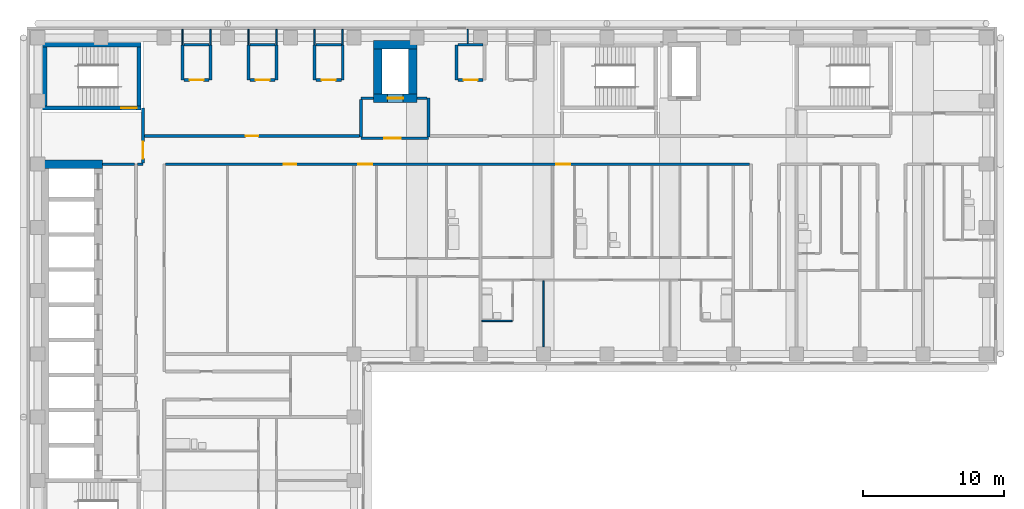
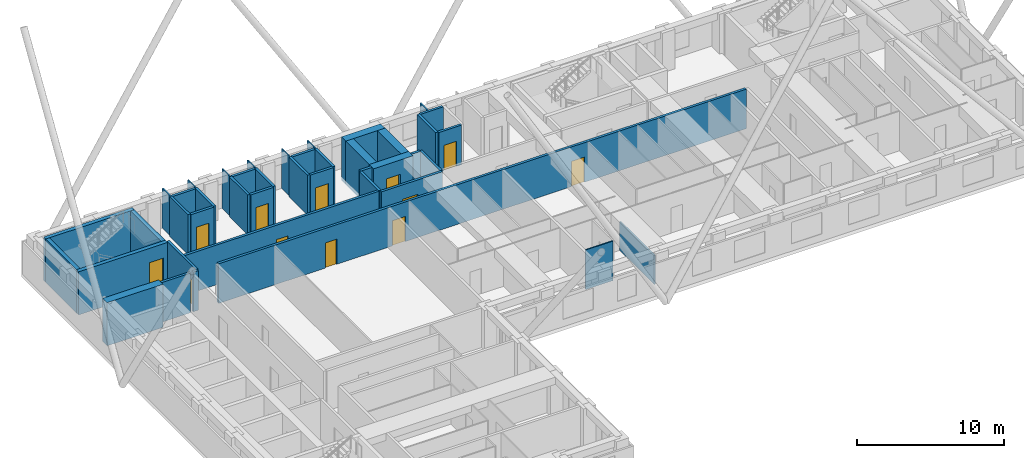
# One storey, part 6 of 13: 43 walls, 12 doors, 12 openings.
"""IFC4 building model written with IfcOpenShell, lengths in metres."""

from ifc_helpers import new_model, si_unit, direction, frame, frame_2d, origin, place, context, subcontext, project, spatial, rectangle, extrude, material, layer, layer_set, type_object, element, fill, save


model = new_model("IFC4")

# Units and contexts
model_context = context("Model", 3, precision=1e-05, world=origin(), true_north=direction((0.0, 1.0)))
body_context = subcontext(model_context, "Body", "Model", "MODEL_VIEW")
ifc_project = project(units=[si_unit("LENGTHUNIT", "METRE"), si_unit("AREAUNIT", "SQUARE_METRE"), si_unit("VOLUMEUNIT", "CUBIC_METRE"), si_unit("PLANEANGLEUNIT", "RADIAN"), si_unit("MASSUNIT", "GRAM", prefix="KILO")], contexts=[model_context])

# Site, building, storey
site_placement = place(None, origin())
site = spatial("IfcSite", under=ifc_project, at=site_placement, CompositionType="ELEMENT")
building_placement = place(site_placement, origin())
building = spatial("IfcBuilding", under=site, at=building_placement, Name="Firuza Court", CompositionType="ELEMENT")
storey_placement = place(building_placement, frame((0.0, 0.0, 119.60009765625)))
storey = spatial("IfcBuildingStorey", under=building, at=storey_placement, Name="L29", CompositionType="ELEMENT", Elevation=119.60009765625)

# Wall
ifc_material_1 = material(Name="Moisture-resistant gypsum board partition")
ifc_layer_1 = layer(ifc_material_1, 0.10009765625)
ifc_layer_set_1 = layer_set([ifc_layer_1], Name="Moisture-resistant gypsum board partition")
wall_type_1 = type_object("IfcWallType", Name="Bathroom partition 100", PredefinedType="PLUMBINGWALL", material=ifc_layer_set_1)
wall_1_placement = place(storey_placement, frame((31.60009765625, 38.35009765625, 0.0), z_axis=(0.0, 0.0, 1.0), x_axis=(1.0, 0.0, 0.0)))
element("IfcWall", 1, at=wall_1_placement, inside=storey, type_object=wall_type_1, Name="Bathroom partition 100 L29", PredefinedType="PLUMBINGWALL", context=body_context, shape_type="SweptSolid", body=[
    extrude(rectangle(XDim=2.14990234375, YDim=0.10009765625, at=frame_2d((1.074951171875, 0.0))), origin(), (0.0, 0.0, 1.0), 3.2998046875),
])

# Wall, opening, door
ifc_material_2 = material(Name="Concrete C60/75", Category="concrete")
ifc_layer_2 = layer(ifc_material_2, 0.300048828125)
ifc_layer_set_2 = layer_set([ifc_layer_2], Name="Concrete C60/75")
wall_type_2 = type_object("IfcWallType", Name="Core wall 300 C60/75", PredefinedType="SHEAR", material=ifc_layer_set_2)
wall_2_placement = place(storey_placement, frame((0.35009765625, 53.5, -0.300048828125), z_axis=(0.0, 0.0, 1.0), x_axis=(1.0, 0.0, 0.0)))
wall_2 = element("IfcWall", 2, at=wall_2_placement, inside=storey, type_object=wall_type_2, Name="Core wall stair L29", PredefinedType="SHEAR", context=body_context, shape_type="SweptSolid", body=[
    extrude(rectangle(XDim=7.0, YDim=0.300048828125, at=frame_2d((3.5, 0.0))), origin(), (0.0, 0.0, 1.0), 3.599853515625),
])
opening_1_placement = place(wall_2_placement, frame((5.580078125, 0.0, 0.300048828125)))
opening_1 = element("IfcOpeningElement", 3, at=opening_1_placement, cuts=wall_2, Name="Opening D29015", PredefinedType="OPENING", context=body_context, shape_type="SweptSolid", body=[
    extrude(rectangle(XDim=1.10009765625, YDim=2.10009765625, at=frame_2d((0.550048828125, 1.050048828125))), frame((0.0, 0.162109375, 0.0), z_axis=(0.0, -1.0, 0.0), x_axis=(1.0, 0.0, 0.0)), (0.0, 0.0, 1.0), 0.323974609375),
])
ifc_material_3 = material(Name="Timber door leaf in hardwood frame", Category="wood")
door_type_1 = type_object("IfcDoorType", Name="Stair door 1100", OperationType="SINGLE_SWING_LEFT", PredefinedType="DOOR", material=ifc_material_3)
door_1_placement = place(opening_1_placement, origin())
door_1 = element("IfcDoor", 4, at=door_1_placement, inside=storey, type_object=door_type_1, Name="Stair door S3", OperationType="SINGLE_SWING_RIGHT", OverallHeight=2.10009765625, OverallWidth=1.10009765625, PredefinedType="DOOR", context=body_context, shape_type="SweptSolid", body=[
    extrude(rectangle(XDim=1.10009765625, YDim=2.10009765625, at=frame_2d((0.550048828125, 1.050048828125))), frame((0.0, 0.02490234375, 0.0), z_axis=(0.0, -1.0, 0.0), x_axis=(1.0, 0.0, 0.0)), (0.0, 0.0, 1.0), 0.050048828125),
])
fill(opening_1, door_1)

# Walls
wall_3_placement = place(storey_placement, frame((0.35009765625, 58.0, -0.300048828125), z_axis=(0.0, 0.0, 1.0), x_axis=(1.0, 0.0, 0.0)))
element("IfcWall", 5, at=wall_3_placement, inside=storey, type_object=wall_type_2, Name="Core wall stair L29", PredefinedType="SHEAR", context=body_context, shape_type="SweptSolid", body=[
    extrude(rectangle(XDim=7.0, YDim=0.300048828125, at=frame_2d((3.5, 0.0))), origin(), (0.0, 0.0, 1.0), 3.599853515625),
])
for number, where, z_axis, x_axis, name in (
    (6, (0.5, 53.64990234375, -0.300048828125), (0.0, 0.0, 1.0), (0.0, 1.0, 0.0), "Core wall stair L29"),
    (7, (7.199951171875, 53.64990234375, -0.300048828125), (0.0, 0.0, 1.0), (0.0, 1.0, 0.0), "Core wall stair L29"),
):
    element("IfcWall", number, at=place(storey_placement, frame(where, z_axis=z_axis, x_axis=x_axis)), inside=storey, type_object=wall_type_2, Name=name, PredefinedType="SHEAR", context=body_context, shape_type="SweptSolid", body=[
        extrude(rectangle(XDim=4.2001953125, YDim=0.300048828125, at=frame_2d((2.10009765625, 0.0))), origin(), (0.0, 0.0, 1.0), 3.599853515625),
    ])
ifc_layer_3 = layer(ifc_material_2, 0.60009765625)
ifc_layer_set_3 = layer_set([ifc_layer_3], Name="Concrete C60/75")
wall_type_3 = type_object("IfcWallType", Name="Core wall 600 C60/75", PredefinedType="SHEAR", material=ifc_layer_set_3)
wall_4_placement = place(storey_placement, frame((0.199951171875, 49.5, -0.300048828125), z_axis=(0.0, 0.0, 1.0), x_axis=(1.0, 0.0, 0.0)))
element("IfcWall", 8, at=wall_4_placement, inside=storey, type_object=wall_type_3, Name="Core wall lift shaft L29", PredefinedType="SHEAR", context=body_context, shape_type="SweptSolid", body=[
    extrude(rectangle(XDim=4.400146484375, YDim=0.60009765625, at=frame_2d((2.2001953125, 0.0))), origin(), (0.0, 0.0, 1.0), 3.599853515625),
])

# Wall, opening, door
wall_5_placement = place(storey_placement, frame((23.89990234375, 54.199951171875, -0.300048828125), z_axis=(0.0, 0.0, 1.0), x_axis=(1.0, 0.0, 0.0)))
wall_5 = element("IfcWall", 9, at=wall_5_placement, inside=storey, type_object=wall_type_3, Name="Core wall lift shaft L29", PredefinedType="SHEAR", context=body_context, shape_type="SweptSolid", body=[
    extrude(rectangle(XDim=3.10009765625, YDim=0.60009765625, at=frame_2d((1.550048828125, 0.0))), origin(), (0.0, 0.0, 1.0), 3.599853515625),
])
opening_2_placement = place(wall_5_placement, frame((1.0, 0.0, 0.300048828125)))
opening_2 = element("IfcOpeningElement", 10, at=opening_2_placement, cuts=wall_5, Name="Opening LD-FL3-29", PredefinedType="OPENING", context=body_context, shape_type="SweptSolid", body=[
    extrude(rectangle(XDim=1.10009765625, YDim=2.10009765625, at=frame_2d((0.550048828125, 1.050048828125))), frame((0.0, 0.31201171875, 0.0), z_axis=(0.0, -1.0, 0.0), x_axis=(1.0, 0.0, 0.0)), (0.0, 0.0, 1.0), 0.6240234375),
])
ifc_material_4 = material(Name="Stainless steel 1.4301 door leaf", Category="steel")
door_type_2 = type_object("IfcDoorType", Name="Lift landing door 1100", OperationType="SLIDING_TO_LEFT", PredefinedType="DOOR", material=ifc_material_4)
door_2_placement = place(opening_2_placement, origin())
door_2 = element("IfcDoor", 11, at=door_2_placement, inside=storey, type_object=door_type_2, Name="Landing door FL3", OperationType="SLIDING_TO_LEFT", OverallHeight=2.10009765625, OverallWidth=1.10009765625, PredefinedType="DOOR", context=body_context, shape_type="SweptSolid", body=[
    extrude(rectangle(XDim=1.10009765625, YDim=2.10009765625, at=frame_2d((0.550048828125, 1.050048828125))), frame((0.0, 0.02490234375, 0.0), z_axis=(0.0, -1.0, 0.0), x_axis=(1.0, 0.0, 0.0)), (0.0, 0.0, 1.0), 0.050048828125),
])
fill(opening_2, door_2)

# Walls
wall_6_placement = place(storey_placement, frame((23.89990234375, 58.0, -0.300048828125), z_axis=(0.0, 0.0, 1.0), x_axis=(1.0, 0.0, 0.0)))
element("IfcWall", 12, at=wall_6_placement, inside=storey, type_object=wall_type_3, Name="Core wall lift shaft L29", PredefinedType="SHEAR", context=body_context, shape_type="SweptSolid", body=[
    extrude(rectangle(XDim=3.10009765625, YDim=0.60009765625, at=frame_2d((1.550048828125, 0.0))), origin(), (0.0, 0.0, 1.0), 3.599853515625),
])
for number, where, z_axis, x_axis, name in (
    (13, (24.199951171875, 54.5, -0.300048828125), (0.0, 0.0, 1.0), (0.0, 1.0, 0.0), "Core wall lift shaft L29"),
    (14, (26.699951171875, 54.5, -0.300048828125), (0.0, 0.0, 1.0), (0.0, 1.0, 0.0), "Core wall lift shaft L29"),
):
    element("IfcWall", number, at=place(storey_placement, frame(where, z_axis=z_axis, x_axis=x_axis)), inside=storey, type_object=wall_type_3, Name=name, PredefinedType="SHEAR", context=body_context, shape_type="SweptSolid", body=[
        extrude(rectangle(XDim=3.199951171875, YDim=0.60009765625, at=frame_2d((1.60009765625, 0.0))), origin(), (0.0, 0.0, 1.0), 3.599853515625),
    ])

# Wall, openings, doors
ifc_material_5 = material(Name="Blockwork, plastered both sides", Category="masonry")
ifc_layer_4 = layer(ifc_material_5, 0.199951171875)
ifc_layer_set_4 = layer_set([ifc_layer_4], Name="Blockwork, plastered both sides")
wall_type_4 = type_object("IfcWallType", Name="Corridor wall 200", PredefinedType="PARTITIONING", material=ifc_layer_set_4)
wall_7_placement = place(storey_placement, frame((9.10009765625, 49.5, 0.0), z_axis=(0.0, 0.0, 1.0), x_axis=(1.0, 0.0, 0.0)))
wall_7 = element("IfcWall", 15, at=wall_7_placement, inside=storey, type_object=wall_type_4, Name="Corridor wall 200 L29", PredefinedType="PARTITIONING", context=body_context, shape_type="SweptSolid", body=[
    extrude(rectangle(XDim=41.5498046875, YDim=0.199951171875, at=frame_2d((20.77490234375, 0.0))), origin(), (0.0, 0.0, 1.0), 3.2998046875),
])
opening_3_placement = place(wall_7_placement, frame((13.699951171875, 0.0, 0.0)))
opening_3 = element("IfcOpeningElement", 16, at=opening_3_placement, cuts=wall_7, Name="Opening D29066", PredefinedType="OPENING", context=body_context, shape_type="SweptSolid", body=[
    extrude(rectangle(XDim=1.0, YDim=2.10009765625, at=frame_2d((0.5, 1.050048828125))), frame((0.0, 0.11181640625, 0.0), z_axis=(0.0, -1.0, 0.0), x_axis=(1.0, 0.0, 0.0)), (0.0, 0.0, 1.0), 0.223876953125),
])
opening_4_placement = place(wall_7_placement, frame((27.800048828125, 0.0, 0.0)))
opening_4 = element("IfcOpeningElement", 17, at=opening_4_placement, cuts=wall_7, Name="Opening D29067", PredefinedType="OPENING", context=body_context, shape_type="SweptSolid", body=[
    extrude(rectangle(XDim=1.0, YDim=2.10009765625, at=frame_2d((0.5, 1.050048828125))), frame((0.0, 0.11181640625, 0.0), z_axis=(0.0, -1.0, 0.0), x_axis=(1.0, 0.0, 0.0)), (0.0, 0.0, 1.0), 0.223876953125),
])
opening_5_placement = place(wall_7_placement, frame((8.39990234375, 0.0, 0.0)))
opening_5 = element("IfcOpeningElement", 18, at=opening_5_placement, cuts=wall_7, Name="Opening D29068", PredefinedType="OPENING", context=body_context, shape_type="SweptSolid", body=[
    extrude(rectangle(XDim=0.89990234375, YDim=2.10009765625, at=frame_2d((0.449951171875, 1.050048828125))), frame((0.0, 0.11181640625, 0.0), z_axis=(0.0, -1.0, 0.0), x_axis=(1.0, 0.0, 0.0)), (0.0, 0.0, 1.0), 0.223876953125),
])
ifc_material_6 = material(Name="Timber door leaf in hardwood frame", Category="wood")
door_type_3 = type_object("IfcDoorType", Name="Flat entrance door 1000", OperationType="SINGLE_SWING_LEFT", PredefinedType="DOOR", material=ifc_material_6)
door_3_placement = place(opening_3_placement, origin())
door_3 = element("IfcDoor", 19, at=door_3_placement, inside=storey, type_object=door_type_3, Name="Flat entrance door", OperationType="SINGLE_SWING_LEFT", OverallHeight=2.10009765625, OverallWidth=1.0, PredefinedType="DOOR", context=body_context, shape_type="SweptSolid", body=[
    extrude(rectangle(XDim=1.0, YDim=2.10009765625, at=frame_2d((0.5, 1.050048828125))), frame((0.0, 0.02490234375, 0.0), z_axis=(0.0, -1.0, 0.0), x_axis=(1.0, 0.0, 0.0)), (0.0, 0.0, 1.0), 0.050048828125),
])
fill(opening_3, door_3)
door_4_placement = place(opening_4_placement, origin())
door_4 = element("IfcDoor", 20, at=door_4_placement, inside=storey, type_object=door_type_3, Name="Flat entrance door", OperationType="SINGLE_SWING_LEFT", OverallHeight=2.10009765625, OverallWidth=1.0, PredefinedType="DOOR", context=body_context, shape_type="SweptSolid", body=[
    extrude(rectangle(XDim=1.0, YDim=2.10009765625, at=frame_2d((0.5, 1.050048828125))), frame((0.0, 0.02490234375, 0.0), z_axis=(0.0, -1.0, 0.0), x_axis=(1.0, 0.0, 0.0)), (0.0, 0.0, 1.0), 0.050048828125),
])
fill(opening_4, door_4)
ifc_material_7 = material(Name="Timber door leaf in hardwood frame", Category="wood")
door_type_4 = type_object("IfcDoorType", Name="Room door 900 EI 30", OperationType="SINGLE_SWING_LEFT", PredefinedType="DOOR", material=ifc_material_7)
door_5_placement = place(opening_5_placement, frame((0.89990234375, 0.0, 0.0), z_axis=(0.0, 0.0, 1.0), x_axis=(-1.0, 0.0, 0.0)))
door_5 = element("IfcDoor", 21, at=door_5_placement, inside=storey, type_object=door_type_4, Name="Library door", OperationType="SINGLE_SWING_RIGHT", OverallHeight=2.10009765625, OverallWidth=0.89990234375, PredefinedType="DOOR", context=body_context, shape_type="SweptSolid", body=[
    extrude(rectangle(XDim=0.89990234375, YDim=2.10009765625, at=frame_2d((0.449951171875, 1.050048828125))), frame((0.0, 0.02490234375, 0.0), z_axis=(0.0, -1.0, 0.0), x_axis=(1.0, 0.0, 0.0)), (0.0, 0.0, 1.0), 0.050048828125),
])
fill(opening_5, door_5)

# Wall, opening, door
wall_8_placement = place(storey_placement, frame((7.60009765625, 51.5, 0.0), z_axis=(0.0, 0.0, 1.0), x_axis=(1.0, 0.0, 0.0)))
wall_8 = element("IfcWall", 22, at=wall_8_placement, inside=storey, type_object=wall_type_4, Name="Corridor wall 200 L29", PredefinedType="PARTITIONING", context=body_context, shape_type="SweptSolid", body=[
    extrude(rectangle(XDim=15.2998046875, YDim=0.199951171875, at=frame_2d((7.64990234375, 0.0))), origin(), (0.0, 0.0, 1.0), 3.2998046875),
])
opening_6_placement = place(wall_8_placement, frame((7.199951171875, 0.0, 0.0)))
opening_6 = element("IfcOpeningElement", 23, at=opening_6_placement, cuts=wall_8, Name="Opening D29071", PredefinedType="OPENING", context=body_context, shape_type="SweptSolid", body=[
    extrude(rectangle(XDim=0.89990234375, YDim=2.10009765625, at=frame_2d((0.449951171875, 1.050048828125))), frame((0.0, 0.11181640625, 0.0), z_axis=(0.0, -1.0, 0.0), x_axis=(1.0, 0.0, 0.0)), (0.0, 0.0, 1.0), 0.223876953125),
])
door_6_placement = place(opening_6_placement, origin())
door_6 = element("IfcDoor", 24, at=door_6_placement, inside=storey, type_object=door_type_4, Name="Residents' workroom door", OperationType="SINGLE_SWING_LEFT", OverallHeight=2.10009765625, OverallWidth=0.89990234375, PredefinedType="DOOR", context=body_context, shape_type="SweptSolid", body=[
    extrude(rectangle(XDim=0.89990234375, YDim=2.10009765625, at=frame_2d((0.449951171875, 1.050048828125))), frame((0.0, 0.02490234375, 0.0), z_axis=(0.0, -1.0, 0.0), x_axis=(1.0, 0.0, 0.0)), (0.0, 0.0, 1.0), 0.050048828125),
])
fill(opening_6, door_6)

# Walls
ifc_material_8 = material(Name="Timber stud partition, plasterboard both sides", Category="wood")
ifc_layer_5 = layer(ifc_material_8, 0.10009765625)
ifc_layer_set_5 = layer_set([ifc_layer_5], Name="Timber stud partition, plasterboard both sides")
wall_type_5 = type_object("IfcWallType", Name="Partition wall 100", PredefinedType="PARTITIONING", material=ifc_layer_set_5)
wall_9_placement = place(storey_placement, frame((36.0, 36.5, 0.0), z_axis=(0.0, 0.0, 1.0), x_axis=(0.0, 1.0, 0.0)))
element("IfcWall", 25, at=wall_9_placement, inside=storey, type_object=wall_type_5, Name="Partition wall 100 L29", PredefinedType="PARTITIONING", context=body_context, shape_type="SweptSolid", body=[
    extrude(rectangle(XDim=4.699951171875, YDim=0.10009765625, at=frame_2d((2.35009765625, 0.0))), origin(), (0.0, 0.0, 1.0), 2.39990234375),
])
for number, where, z_axis, x_axis, name in (
    (26, (10.300048828125, 58.0, 0.0), (0.0, 0.0, 1.0), (0.0, 1.0, 0.0), "Partition wall 100 L29"),
    (27, (12.300048828125, 58.0, 0.0), (0.0, 0.0, 1.0), (0.0, 1.0, 0.0), "Partition wall 100 L29"),
    (28, (15.0, 58.0, 0.0), (0.0, 0.0, 1.0), (0.0, 1.0, 0.0), "Partition wall 100 L29"),
    (29, (17.0, 58.0, 0.0), (0.0, 0.0, 1.0), (0.0, 1.0, 0.0), "Partition wall 100 L29"),
    (30, (19.699951171875, 58.0, 0.0), (0.0, 0.0, 1.0), (0.0, 1.0, 0.0), "Partition wall 100 L29"),
    (31, (21.699951171875, 58.0, 0.0), (0.0, 0.0, 1.0), (0.0, 1.0, 0.0), "Partition wall 100 L29"),
):
    element("IfcWall", number, at=place(storey_placement, frame(where, z_axis=z_axis, x_axis=x_axis)), inside=storey, type_object=wall_type_5, Name=name, PredefinedType="PARTITIONING", context=body_context, shape_type="SweptSolid", body=[
        extrude(rectangle(XDim=1.10009765625, YDim=0.10009765625, at=frame_2d((0.550048828125, 0.0))), origin(), (0.0, 0.0, 1.0), 3.2998046875),
    ])
wall_10_placement = place(storey_placement, frame((30.60009765625, 58.10009765625, 0.0), z_axis=(0.0, 0.0, 1.0), x_axis=(0.0, 1.0, 0.0)))
element("IfcWall", 32, at=wall_10_placement, inside=storey, type_object=wall_type_5, Name="Partition wall 100 L29", PredefinedType="PARTITIONING", context=body_context, shape_type="SweptSolid", body=[
    extrude(rectangle(XDim=1.0, YDim=0.10009765625, at=frame_2d((0.5, 0.0))), origin(), (0.0, 0.0, 1.0), 3.2998046875),
])
ifc_material_9 = material(Name="Blockwork, fire-rated", Category="masonry")
ifc_layer_6 = layer(ifc_material_9, 0.199951171875)
ifc_layer_set_6 = layer_set([ifc_layer_6], Name="Blockwork, fire-rated")
wall_type_6 = type_object("IfcWallType", Name="Plant room wall 200", PredefinedType="PARTITIONING", material=ifc_layer_set_6)
wall_11_placement = place(storey_placement, frame((10.300048828125, 55.5, 0.0), z_axis=(0.0, 0.0, 1.0), x_axis=(0.0, 1.0, 0.0)))
element("IfcWall", 33, at=wall_11_placement, inside=storey, type_object=wall_type_6, Name="Plant room wall 200 L29", PredefinedType="PARTITIONING", context=body_context, shape_type="SweptSolid", body=[
    extrude(rectangle(XDim=2.5, YDim=0.199951171875, at=frame_2d((1.25, 0.0))), origin(), (0.0, 0.0, 1.0), 3.2998046875),
])

# Wall, opening, door
wall_12_placement = place(storey_placement, frame((10.39990234375, 55.5, 0.0), z_axis=(0.0, 0.0, 1.0), x_axis=(1.0, 0.0, 0.0)))
wall_12 = element("IfcWall", 34, at=wall_12_placement, inside=storey, type_object=wall_type_6, Name="Plant room wall 200 L29", PredefinedType="PARTITIONING", context=body_context, shape_type="SweptSolid", body=[
    extrude(rectangle(XDim=1.800048828125, YDim=0.199951171875, at=frame_2d((0.89990234375, 0.0))), origin(), (0.0, 0.0, 1.0), 3.2998046875),
])
opening_7_placement = place(wall_12_placement, frame((0.39990234375, 0.0, 0.0)))
opening_7 = element("IfcOpeningElement", 35, at=opening_7_placement, cuts=wall_12, Name="Opening D29075", PredefinedType="OPENING", context=body_context, shape_type="SweptSolid", body=[
    extrude(rectangle(XDim=1.0, YDim=2.10009765625, at=frame_2d((0.5, 1.050048828125))), frame((0.0, 0.11181640625, 0.0), z_axis=(0.0, -1.0, 0.0), x_axis=(1.0, 0.0, 0.0)), (0.0, 0.0, 1.0), 0.223876953125),
])
ifc_material_10 = material(Name="Timber door leaf in hardwood frame", Category="wood")
door_type_5 = type_object("IfcDoorType", Name="Riser door 1000", OperationType="SINGLE_SWING_LEFT", PredefinedType="DOOR", material=ifc_material_10)
door_7_placement = place(opening_7_placement, origin())
door_7 = element("IfcDoor", 36, at=door_7_placement, inside=storey, type_object=door_type_5, Name="Comms riser door", OperationType="SINGLE_SWING_LEFT", OverallHeight=2.10009765625, OverallWidth=1.0, PredefinedType="DOOR", context=body_context, shape_type="SweptSolid", body=[
    extrude(rectangle(XDim=1.0, YDim=2.10009765625, at=frame_2d((0.5, 1.050048828125))), frame((0.0, 0.02490234375, 0.0), z_axis=(0.0, -1.0, 0.0), x_axis=(1.0, 0.0, 0.0)), (0.0, 0.0, 1.0), 0.050048828125),
])
fill(opening_7, door_7)

# Walls
for number, where, z_axis, x_axis, name in (
    (37, (12.300048828125, 55.5, 0.0), (0.0, 0.0, 1.0), (0.0, 1.0, 0.0), "Plant room wall 200 L29"),
    (38, (15.0, 55.5, 0.0), (0.0, 0.0, 1.0), (0.0, 1.0, 0.0), "Plant room wall 200 L29"),
):
    element("IfcWall", number, at=place(storey_placement, frame(where, z_axis=z_axis, x_axis=x_axis)), inside=storey, type_object=wall_type_6, Name=name, PredefinedType="PARTITIONING", context=body_context, shape_type="SweptSolid", body=[
        extrude(rectangle(XDim=2.5, YDim=0.199951171875, at=frame_2d((1.25, 0.0))), origin(), (0.0, 0.0, 1.0), 3.2998046875),
    ])

# Wall, opening, door
wall_13_placement = place(storey_placement, frame((15.10009765625, 55.5, 0.0), z_axis=(0.0, 0.0, 1.0), x_axis=(1.0, 0.0, 0.0)))
wall_13 = element("IfcWall", 39, at=wall_13_placement, inside=storey, type_object=wall_type_6, Name="Plant room wall 200 L29", PredefinedType="PARTITIONING", context=body_context, shape_type="SweptSolid", body=[
    extrude(rectangle(XDim=1.7998046875, YDim=0.199951171875, at=frame_2d((0.89990234375, 0.0))), origin(), (0.0, 0.0, 1.0), 3.2998046875),
])
opening_8_placement = place(wall_13_placement, frame((0.39990234375, 0.0, 0.0)))
opening_8 = element("IfcOpeningElement", 40, at=opening_8_placement, cuts=wall_13, Name="Opening D29076", PredefinedType="OPENING", context=body_context, shape_type="SweptSolid", body=[
    extrude(rectangle(XDim=1.0, YDim=2.10009765625, at=frame_2d((0.5, 1.050048828125))), frame((0.0, 0.11181640625, 0.0), z_axis=(0.0, -1.0, 0.0), x_axis=(1.0, 0.0, 0.0)), (0.0, 0.0, 1.0), 0.223876953125),
])
door_8_placement = place(opening_8_placement, origin())
door_8 = element("IfcDoor", 41, at=door_8_placement, inside=storey, type_object=door_type_5, Name="Electrical riser door", OperationType="SINGLE_SWING_LEFT", OverallHeight=2.10009765625, OverallWidth=1.0, PredefinedType="DOOR", context=body_context, shape_type="SweptSolid", body=[
    extrude(rectangle(XDim=1.0, YDim=2.10009765625, at=frame_2d((0.5, 1.050048828125))), frame((0.0, 0.02490234375, 0.0), z_axis=(0.0, -1.0, 0.0), x_axis=(1.0, 0.0, 0.0)), (0.0, 0.0, 1.0), 0.050048828125),
])
fill(opening_8, door_8)

# Walls
for number, where, z_axis, x_axis, name in (
    (42, (17.0, 55.5, 0.0), (0.0, 0.0, 1.0), (0.0, 1.0, 0.0), "Plant room wall 200 L29"),
    (43, (19.699951171875, 55.5, 0.0), (0.0, 0.0, 1.0), (0.0, 1.0, 0.0), "Plant room wall 200 L29"),
):
    element("IfcWall", number, at=place(storey_placement, frame(where, z_axis=z_axis, x_axis=x_axis)), inside=storey, type_object=wall_type_6, Name=name, PredefinedType="PARTITIONING", context=body_context, shape_type="SweptSolid", body=[
        extrude(rectangle(XDim=2.5, YDim=0.199951171875, at=frame_2d((1.25, 0.0))), origin(), (0.0, 0.0, 1.0), 3.2998046875),
    ])

# Wall, opening, door
wall_14_placement = place(storey_placement, frame((19.800048828125, 55.5, 0.0), z_axis=(0.0, 0.0, 1.0), x_axis=(1.0, 0.0, 0.0)))
wall_14 = element("IfcWall", 44, at=wall_14_placement, inside=storey, type_object=wall_type_6, Name="Plant room wall 200 L29", PredefinedType="PARTITIONING", context=body_context, shape_type="SweptSolid", body=[
    extrude(rectangle(XDim=1.800048828125, YDim=0.199951171875, at=frame_2d((0.89990234375, 0.0))), origin(), (0.0, 0.0, 1.0), 3.2998046875),
])
opening_9_placement = place(wall_14_placement, frame((0.39990234375, 0.0, 0.0)))
opening_9 = element("IfcOpeningElement", 45, at=opening_9_placement, cuts=wall_14, Name="Opening D29077", PredefinedType="OPENING", context=body_context, shape_type="SweptSolid", body=[
    extrude(rectangle(XDim=1.0, YDim=2.10009765625, at=frame_2d((0.5, 1.050048828125))), frame((0.0, 0.11181640625, 0.0), z_axis=(0.0, -1.0, 0.0), x_axis=(1.0, 0.0, 0.0)), (0.0, 0.0, 1.0), 0.223876953125),
])
door_9_placement = place(opening_9_placement, origin())
door_9 = element("IfcDoor", 46, at=door_9_placement, inside=storey, type_object=door_type_5, Name="Duct riser door", OperationType="SINGLE_SWING_LEFT", OverallHeight=2.10009765625, OverallWidth=1.0, PredefinedType="DOOR", context=body_context, shape_type="SweptSolid", body=[
    extrude(rectangle(XDim=1.0, YDim=2.10009765625, at=frame_2d((0.5, 1.050048828125))), frame((0.0, 0.02490234375, 0.0), z_axis=(0.0, -1.0, 0.0), x_axis=(1.0, 0.0, 0.0)), (0.0, 0.0, 1.0), 0.050048828125),
])
fill(opening_9, door_9)

# Walls
for number, where, z_axis, x_axis, name in (
    (47, (21.699951171875, 55.5, 0.0), (0.0, 0.0, 1.0), (0.0, 1.0, 0.0), "Plant room wall 200 L29"),
    (48, (29.800048828125, 55.5, 0.0), (0.0, 0.0, 1.0), (0.0, 1.0, 0.0), "Plant room wall 200 L29"),
):
    element("IfcWall", number, at=place(storey_placement, frame(where, z_axis=z_axis, x_axis=x_axis)), inside=storey, type_object=wall_type_6, Name=name, PredefinedType="PARTITIONING", context=body_context, shape_type="SweptSolid", body=[
        extrude(rectangle(XDim=2.5, YDim=0.199951171875, at=frame_2d((1.25, 0.0))), origin(), (0.0, 0.0, 1.0), 3.2998046875),
    ])

# Wall, opening, door
wall_15_placement = place(storey_placement, frame((29.89990234375, 55.5, 0.0), z_axis=(0.0, 0.0, 1.0), x_axis=(1.0, 0.0, 0.0)))
wall_15 = element("IfcWall", 49, at=wall_15_placement, inside=storey, type_object=wall_type_6, Name="Plant room wall 200 L29", PredefinedType="PARTITIONING", context=body_context, shape_type="SweptSolid", body=[
    extrude(rectangle(XDim=1.800048828125, YDim=0.199951171875, at=frame_2d((0.89990234375, 0.0))), origin(), (0.0, 0.0, 1.0), 3.2998046875),
])
opening_10_placement = place(wall_15_placement, frame((0.39990234375, 0.0, 0.0)))
opening_10 = element("IfcOpeningElement", 50, at=opening_10_placement, cuts=wall_15, Name="Opening D29078", PredefinedType="OPENING", context=body_context, shape_type="SweptSolid", body=[
    extrude(rectangle(XDim=1.0, YDim=2.10009765625, at=frame_2d((0.5, 1.050048828125))), frame((0.0, 0.11181640625, 0.0), z_axis=(0.0, -1.0, 0.0), x_axis=(1.0, 0.0, 0.0)), (0.0, 0.0, 1.0), 0.223876953125),
])
door_10_placement = place(opening_10_placement, origin())
door_10 = element("IfcDoor", 51, at=door_10_placement, inside=storey, type_object=door_type_5, Name="Electrical riser door", OperationType="SINGLE_SWING_LEFT", OverallHeight=2.10009765625, OverallWidth=1.0, PredefinedType="DOOR", context=body_context, shape_type="SweptSolid", body=[
    extrude(rectangle(XDim=1.0, YDim=2.10009765625, at=frame_2d((0.5, 1.050048828125))), frame((0.0, 0.02490234375, 0.0), z_axis=(0.0, -1.0, 0.0), x_axis=(1.0, 0.0, 0.0)), (0.0, 0.0, 1.0), 0.050048828125),
])
fill(opening_10, door_10)

# Walls
wall_16_placement = place(storey_placement, frame((10.39990234375, 58.0, 0.0), z_axis=(0.0, 0.0, 1.0), x_axis=(1.0, 0.0, 0.0)))
element("IfcWall", 52, at=wall_16_placement, inside=storey, type_object=wall_type_6, Name="Plant room wall 200 L29", PredefinedType="PARTITIONING", context=body_context, shape_type="SweptSolid", body=[
    extrude(rectangle(XDim=1.800048828125, YDim=0.199951171875, at=frame_2d((0.89990234375, 0.0))), origin(), (0.0, 0.0, 1.0), 3.2998046875),
])
wall_17_placement = place(storey_placement, frame((15.10009765625, 58.0, 0.0), z_axis=(0.0, 0.0, 1.0), x_axis=(1.0, 0.0, 0.0)))
element("IfcWall", 53, at=wall_17_placement, inside=storey, type_object=wall_type_6, Name="Plant room wall 200 L29", PredefinedType="PARTITIONING", context=body_context, shape_type="SweptSolid", body=[
    extrude(rectangle(XDim=1.7998046875, YDim=0.199951171875, at=frame_2d((0.89990234375, 0.0))), origin(), (0.0, 0.0, 1.0), 3.2998046875),
])
for number, where, z_axis, x_axis, name in (
    (54, (19.800048828125, 58.0, 0.0), (0.0, 0.0, 1.0), (1.0, 0.0, 0.0), "Plant room wall 200 L29"),
    (55, (29.89990234375, 58.0, 0.0), (0.0, 0.0, 1.0), (1.0, 0.0, 0.0), "Plant room wall 200 L29"),
):
    element("IfcWall", number, at=place(storey_placement, frame(where, z_axis=z_axis, x_axis=x_axis)), inside=storey, type_object=wall_type_6, Name=name, PredefinedType="PARTITIONING", context=body_context, shape_type="SweptSolid", body=[
        extrude(rectangle(XDim=1.800048828125, YDim=0.199951171875, at=frame_2d((0.89990234375, 0.0))), origin(), (0.0, 0.0, 1.0), 3.2998046875),
    ])
ifc_layer_7 = layer(ifc_material_9, 0.199951171875)
ifc_layer_set_7 = layer_set([ifc_layer_7], Name="Blockwork, fire-rated")
wall_type_7 = type_object("IfcWallType", Name="Shaft wall 200", PredefinedType="PARTITIONING", material=ifc_layer_set_7)
wall_18_placement = place(storey_placement, frame((4.60009765625, 49.5, 0.0), z_axis=(0.0, 0.0, 1.0), x_axis=(1.0, 0.0, 0.0)))
element("IfcWall", 56, at=wall_18_placement, inside=storey, type_object=wall_type_7, Name="Shaft wall 200 L29", PredefinedType="PARTITIONING", context=body_context, shape_type="SweptSolid", body=[
    extrude(rectangle(XDim=2.2998046875, YDim=0.199951171875, at=frame_2d((1.14990234375, 0.0))), origin(), (0.0, 0.0, 1.0), 3.2998046875),
])

# Wall, opening, door
wall_19_placement = place(storey_placement, frame((23.0, 51.35009765625, 0.0), z_axis=(0.0, 0.0, 1.0), x_axis=(1.0, 0.0, 0.0)))
wall_19 = element("IfcWall", 57, at=wall_19_placement, inside=storey, type_object=wall_type_7, Name="Shaft wall 200 L29", PredefinedType="PARTITIONING", context=body_context, shape_type="SweptSolid", body=[
    extrude(rectangle(XDim=4.800048828125, YDim=0.199951171875, at=frame_2d((2.39990234375, 0.0))), origin(), (0.0, 0.0, 1.0), 3.2998046875),
])
opening_11_placement = place(wall_19_placement, frame((1.64990234375, 0.0, 0.0)))
opening_11 = element("IfcOpeningElement", 58, at=opening_11_placement, cuts=wall_19, Name="Opening D29003", PredefinedType="OPENING", context=body_context, shape_type="SweptSolid", body=[
    extrude(rectangle(XDim=1.199951171875, YDim=2.10009765625, at=frame_2d((0.60009765625, 1.050048828125))), frame((0.0, 0.11181640625, 0.0), z_axis=(0.0, -1.0, 0.0), x_axis=(1.0, 0.0, 0.0)), (0.0, 0.0, 1.0), 0.223876953125),
])
ifc_material_11 = material(Name="Timber door leaf in hardwood frame", Category="wood")
door_type_6 = type_object("IfcDoorType", Name="Lobby door 1200", OperationType="SINGLE_SWING_LEFT", PredefinedType="DOOR", material=ifc_material_11)
door_11_placement = place(opening_11_placement, origin())
door_11 = element("IfcDoor", 59, at=door_11_placement, inside=storey, type_object=door_type_6, Name="Fire-fighting lobby door", OperationType="SINGLE_SWING_LEFT", OverallHeight=2.10009765625, OverallWidth=1.199951171875, PredefinedType="DOOR", context=body_context, shape_type="SweptSolid", body=[
    extrude(rectangle(XDim=1.199951171875, YDim=2.10009765625, at=frame_2d((0.60009765625, 1.050048828125))), frame((0.0, 0.02490234375, 0.0), z_axis=(0.0, -1.0, 0.0), x_axis=(1.0, 0.0, 0.0)), (0.0, 0.0, 1.0), 0.050048828125),
])
fill(opening_11, door_11)

# Walls
wall_20_placement = place(storey_placement, frame((27.800048828125, 51.449951171875, 0.0), z_axis=(0.0, 0.0, 1.0), x_axis=(0.0, 1.0, 0.0)))
element("IfcWall", 60, at=wall_20_placement, inside=storey, type_object=wall_type_7, Name="Shaft wall 200 L29", PredefinedType="PARTITIONING", context=body_context, shape_type="SweptSolid", body=[
    extrude(rectangle(XDim=2.75, YDim=0.199951171875, at=frame_2d((1.375, 0.0))), origin(), (0.0, 0.0, 1.0), 3.2998046875),
])
wall_21_placement = place(storey_placement, frame((23.0, 54.199951171875, 0.0), z_axis=(0.0, 0.0, 1.0), x_axis=(1.0, 0.0, 0.0)))
element("IfcWall", 61, at=wall_21_placement, inside=storey, type_object=wall_type_7, Name="Shaft wall 200 L29", PredefinedType="PARTITIONING", context=body_context, shape_type="SweptSolid", body=[
    extrude(rectangle(XDim=0.89990234375, YDim=0.199951171875, at=frame_2d((0.449951171875, 0.0))), origin(), (0.0, 0.0, 1.0), 3.2998046875),
])
wall_22_placement = place(storey_placement, frame((27.0, 54.199951171875, 0.0), z_axis=(0.0, 0.0, 1.0), x_axis=(1.0, 0.0, 0.0)))
element("IfcWall", 62, at=wall_22_placement, inside=storey, type_object=wall_type_7, Name="Shaft wall 200 L29", PredefinedType="PARTITIONING", context=body_context, shape_type="SweptSolid", body=[
    extrude(rectangle(XDim=0.699951171875, YDim=0.199951171875, at=frame_2d((0.35009765625, 0.0))), origin(), (0.0, 0.0, 1.0), 3.2998046875),
])
wall_23_placement = place(storey_placement, frame((23.0, 51.449951171875, 0.0), z_axis=(0.0, 0.0, 1.0), x_axis=(0.0, 1.0, 0.0)))
element("IfcWall", 63, at=wall_23_placement, inside=storey, type_object=wall_type_7, Name="Shaft wall 200 L29", PredefinedType="PARTITIONING", context=body_context, shape_type="SweptSolid", body=[
    extrude(rectangle(XDim=2.650146484375, YDim=0.199951171875, at=frame_2d((1.3251953125, 0.0))), origin(), (0.0, 0.0, 1.0), 3.2998046875),
])
wall_24_placement = place(storey_placement, frame((7.10009765625, 49.5, 0.0), z_axis=(0.0, 0.0, 1.0), x_axis=(1.0, 0.0, 0.0)))
element("IfcWall", 64, at=wall_24_placement, inside=storey, type_object=wall_type_7, Name="Shaft wall 200 L29", PredefinedType="PARTITIONING", context=body_context, shape_type="SweptSolid", body=[
    extrude(rectangle(XDim=0.39990234375, YDim=0.199951171875, at=frame_2d((0.199951171875, 0.0))), origin(), (0.0, 0.0, 1.0), 3.2998046875),
])

# Wall, opening, door
wall_25_placement = place(storey_placement, frame((7.5, 49.60009765625, 0.0), z_axis=(0.0, 0.0, 1.0), x_axis=(0.0, 1.0, 0.0)))
wall_25 = element("IfcWall", 65, at=wall_25_placement, inside=storey, type_object=wall_type_7, Name="Shaft wall 200 L29", PredefinedType="PARTITIONING", context=body_context, shape_type="SweptSolid", body=[
    extrude(rectangle(XDim=3.89990234375, YDim=0.199951171875, at=frame_2d((1.949951171875, 0.0))), origin(), (0.0, 0.0, 1.0), 3.2998046875),
])
opening_12_placement = place(wall_25_placement, frame((0.300048828125, 0.0, 0.0)))
opening_12 = element("IfcOpeningElement", 66, at=opening_12_placement, cuts=wall_25, Name="Opening D29001", PredefinedType="OPENING", context=body_context, shape_type="SweptSolid", body=[
    extrude(rectangle(XDim=1.199951171875, YDim=2.10009765625, at=frame_2d((0.60009765625, 1.050048828125))), frame((0.0, 0.11181640625, 0.0), z_axis=(0.0, -1.0, 0.0), x_axis=(1.0, 0.0, 0.0)), (0.0, 0.0, 1.0), 0.223876953125),
])
door_12_placement = place(opening_12_placement, origin())
door_12 = element("IfcDoor", 67, at=door_12_placement, inside=storey, type_object=door_type_6, Name="Lobby door", OperationType="SINGLE_SWING_LEFT", OverallHeight=2.10009765625, OverallWidth=1.199951171875, PredefinedType="DOOR", context=body_context, shape_type="SweptSolid", body=[
    extrude(rectangle(XDim=1.199951171875, YDim=2.10009765625, at=frame_2d((0.60009765625, 1.050048828125))), frame((0.0, 0.02490234375, 0.0), z_axis=(0.0, -1.0, 0.0), x_axis=(1.0, 0.0, 0.0)), (0.0, 0.0, 1.0), 0.050048828125),
])
fill(opening_12, door_12)

save(model, "model.ifc")
